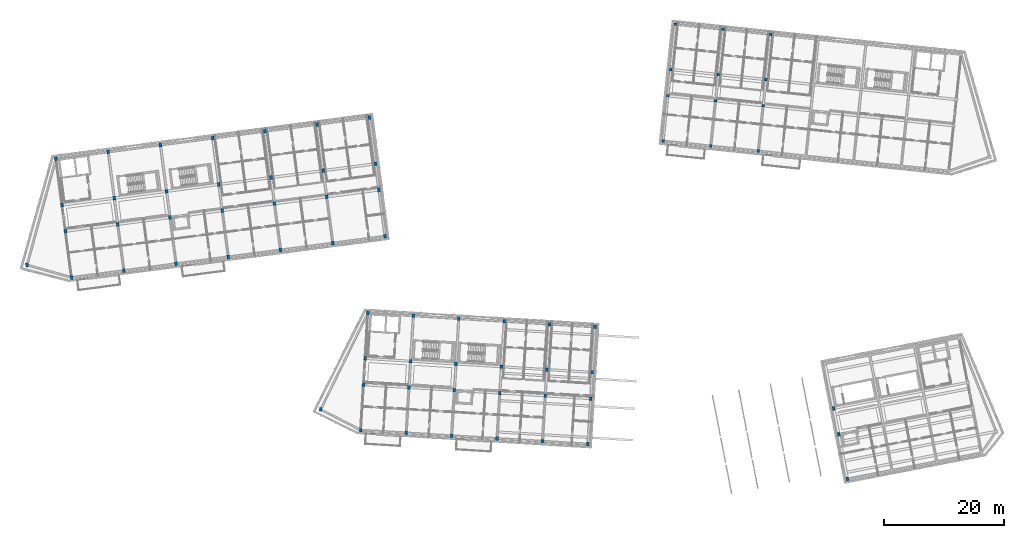
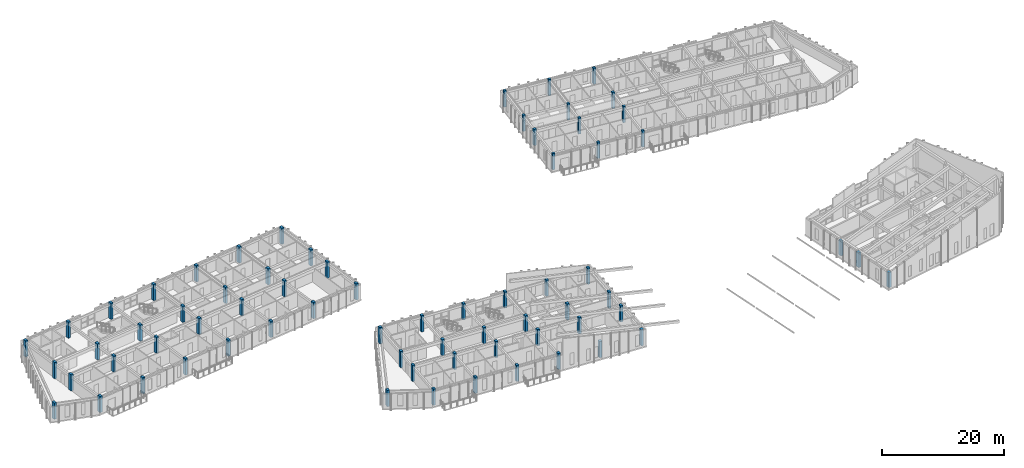
# One storey, part 1 of 56: 69 columns.
"""IFC4 building model written with IfcOpenShell, lengths in metres."""

from ifc_helpers import new_model, si_unit, direction, frame, origin, origin_2d, place, context, subcontext, project, spatial, rectangle, extrude, material, material_profile, profile_set, type_object, element, save


model = new_model("IFC4")

# Units and contexts
model_context = context("Model", 3, precision=1e-05, world=origin(), true_north=direction((0.0, 1.0)))
body_context = subcontext(model_context, "Body", "Model", "MODEL_VIEW")
ifc_project = project(units=[si_unit("LENGTHUNIT", "METRE"), si_unit("AREAUNIT", "SQUARE_METRE"), si_unit("VOLUMEUNIT", "CUBIC_METRE"), si_unit("PLANEANGLEUNIT", "RADIAN"), si_unit("MASSUNIT", "GRAM", prefix="KILO")], contexts=[model_context])

# Site, building, storey
site_placement = place(None, origin())
site = spatial("IfcSite", under=ifc_project, at=site_placement, CompositionType="ELEMENT")
building_placement = place(site_placement, origin())
building = spatial("IfcBuilding", under=site, at=building_placement, Name="Kestramere Prow Commons", CompositionType="ELEMENT")
storey_placement = place(building_placement, frame((0.0, 0.0, 27.89990234375)))
storey = spatial("IfcBuildingStorey", under=building, at=storey_placement, Name="L08", CompositionType="ELEMENT", Elevation=27.89990234375)

# Columns
ifc_material = material(Name="Precast concrete C40/50", Category="concrete")
ifc_material_profile_1 = material_profile(ifc_material, rectangle(XDim=0.449951171875, YDim=0.64990234375, at=origin_2d()), Name="PC-COL 450x650")
ifc_profile_set_1 = profile_set([ifc_material_profile_1], Name="Precast concrete C40/50")
column_type_1 = type_object("IfcColumnType", Name="C-A3 PC-COL 450x650", PredefinedType="COLUMN", material=ifc_profile_set_1)
for number, where, z_axis, x_axis, name in (
    (1, (11.199951171875, 72.0, 0.0), (0.0, 0.0, 1.0), (0.991444861374, 0.13052619222, 0.0), "Block A L08 Column 1-1"),
    (2, (10.181884765625, 79.733154296875, 0.0), (0.0, 0.0, 1.0), (0.991444861374, 0.13052619222, 0.0), "Block A L08 Column 1-2"),
    (3, (9.607666015625, 84.095703125, 0.0), (0.0, 0.0, 1.0), (0.991444861374, 0.13052619222, 0.0), "Block A L08 Column 1-3"),
    (4, (8.58935546875, 91.828857421875, 0.0), (0.0, 0.0, 1.0), (0.991444861374, 0.13052619222, 0.0), "Block A L08 Column 1-4"),
    (5, (19.9248046875, 73.148681640625, 0.0), (0.0, 0.0, 1.0), (0.991444861374, 0.13052619222, 0.0), "Block A L08 Column 2-1"),
    (6, (18.906494140625, 80.8818359375, 0.0), (0.0, 0.0, 1.0), (0.991444861374, 0.13052619222, 0.0), "Block A L08 Column 2-2"),
    (7, (18.332275390625, 85.244140625, 0.0), (0.0, 0.0, 1.0), (0.991444861374, 0.13052619222, 0.0), "Block A L08 Column 2-3"),
    (8, (17.314208984375, 92.9775390625, 0.0), (0.0, 0.0, 1.0), (0.991444861374, 0.13052619222, 0.0), "Block A L08 Column 2-4"),
    (9, (28.6494140625, 74.29736328125, 0.0), (0.0, 0.0, 1.0), (0.991444861374, 0.13052619222, 0.0), "Block A L08 Column 3-1"),
    (10, (27.63134765625, 82.030517578125, 0.0), (0.0, 0.0, 1.0), (0.991444861374, 0.13052619222, 0.0), "Block A L08 Column 3-2"),
    (11, (27.05712890625, 86.392822265625, 0.0), (0.0, 0.0, 1.0), (0.991444861374, 0.13052619222, 0.0), "Block A L08 Column 3-3"),
    (12, (26.038818359375, 94.126220703125, 0.0), (0.0, 0.0, 1.0), (0.991444861374, 0.13052619222, 0.0), "Block A L08 Column 3-4"),
    (13, (37.3740234375, 75.44580078125, 0.0), (0.0, 0.0, 1.0), (0.991444861374, 0.13052619222, 0.0), "Block A L08 Column 4-1"),
    (14, (36.35595703125, 83.17919921875, 0.0), (0.0, 0.0, 1.0), (0.991444861374, 0.13052619222, 0.0), "Block A L08 Column 4-2"),
    (15, (35.78173828125, 87.54150390625, 0.0), (0.0, 0.0, 1.0), (0.991444861374, 0.13052619222, 0.0), "Block A L08 Column 4-3"),
    (16, (34.763671875, 95.27490234375, 0.0), (0.0, 0.0, 1.0), (0.991444861374, 0.13052619222, 0.0), "Block A L08 Column 4-4"),
    (17, (46.098876953125, 76.594482421875, 0.0), (0.0, 0.0, 1.0), (0.991444861374, 0.13052619222, 0.0), "Block A L08 Column 5-1"),
    (18, (45.080810546875, 84.327880859375, 0.0), (0.0, 0.0, 1.0), (0.991444861374, 0.13052619222, 0.0), "Block A L08 Column 5-2"),
    (19, (44.50634765625, 88.690185546875, 0.0), (0.0, 0.0, 1.0), (0.991444861374, 0.13052619222, 0.0), "Block A L08 Column 5-3"),
    (20, (43.48828125, 96.42333984375, 0.0), (0.0, 0.0, 1.0), (0.991444861374, 0.13052619222, 0.0), "Block A L08 Column 5-4"),
    (21, (54.823486328125, 77.7431640625, 0.0), (0.0, 0.0, 1.0), (0.991444861374, 0.13052619222, 0.0), "Block A L08 Column 6-1"),
    (22, (53.805419921875, 85.476318359375, 0.0), (0.0, 0.0, 1.0), (0.991444861374, 0.13052619222, 0.0), "Block A L08 Column 6-2"),
    (23, (53.231201171875, 89.8388671875, 0.0), (0.0, 0.0, 1.0), (0.991444861374, 0.13052619222, 0.0), "Block A L08 Column 6-3"),
    (24, (52.213134765625, 97.572021484375, 0.0), (0.0, 0.0, 1.0), (0.991444861374, 0.13052619222, 0.0), "Block A L08 Column 6-4"),
    (25, (63.54833984375, 78.891845703125, 0.0), (0.0, 0.0, 1.0), (0.991444861374, 0.13052619222, 0.0), "Block A L08 Column 7-1"),
    (26, (62.5302734375, 86.625, 0.0), (0.0, 0.0, 1.0), (0.991444861374, 0.13052619222, 0.0), "Block A L08 Column 7-2"),
    (27, (61.955810546875, 90.9873046875, 0.0), (0.0, 0.0, 1.0), (0.991444861374, 0.13052619222, 0.0), "Block A L08 Column 7-3"),
    (28, (60.937744140625, 98.720703125, 0.0), (0.0, 0.0, 1.0), (0.991444861374, 0.13052619222, 0.0), "Block A L08 Column 7-4"),
    (29, (3.7626953125, 74.09716796875, 0.0), (0.0, 0.0, 1.0), (0.991444861374, 0.13052619222, 0.0), "Block A L08 Prow Apex Column"),
):
    element("IfcColumn", number, at=place(storey_placement, frame(where, z_axis=z_axis, x_axis=x_axis)), inside=storey, type_object=column_type_1, Name=name, PredefinedType="COLUMN", context=body_context, shape_type="SweptSolid", body=[
        extrude(rectangle(XDim=0.449951171875, YDim=0.64990234375, at=origin_2d()), origin(), (0.0, 0.0, 1.0), 3.25),
    ])
ifc_material_profile_2 = material_profile(ifc_material, rectangle(XDim=0.449951171875, YDim=0.449951171875, at=origin_2d()), Name="PC-COL 450x450")
ifc_profile_set_2 = profile_set([ifc_material_profile_2], Name="Precast concrete C40/50")
column_type_2 = type_object("IfcColumnType", Name="C-B3 PC-COL 450x450", PredefinedType="COLUMN", material=ifc_profile_set_2)
for number, where, z_axis, x_axis, name in (
    (30, (110.0, 94.800048828125, 0.0), (0.0, 0.0, 1.0), (0.994521895368, -0.104528463268, 0.0), "Block B L08 Column 1-1"),
    (31, (110.79443359375, 102.3583984375, 0.0), (0.0, 0.0, 1.0), (0.994521895368, -0.104528463268, 0.0), "Block B L08 Column 1-2"),
    (32, (111.25439453125, 106.734375, 0.0), (0.0, 0.0, 1.0), (0.994521895368, -0.104528463268, 0.0), "Block B L08 Column 1-3"),
    (33, (112.048828125, 114.292724609375, 0.0), (0.0, 0.0, 1.0), (0.994521895368, -0.104528463268, 0.0), "Block B L08 Column 1-4"),
    (34, (117.9560546875, 93.9638671875, 0.0), (0.0, 0.0, 1.0), (0.994521895368, -0.104528463268, 0.0), "Block B L08 Column 2-1"),
    (35, (118.75048828125, 101.522216796875, 0.0), (0.0, 0.0, 1.0), (0.994521895368, -0.104528463268, 0.0), "Block B L08 Column 2-2"),
    (36, (119.21044921875, 105.89794921875, 0.0), (0.0, 0.0, 1.0), (0.994521895368, -0.104528463268, 0.0), "Block B L08 Column 2-3"),
    (37, (120.0048828125, 113.456298828125, 0.0), (0.0, 0.0, 1.0), (0.994521895368, -0.104528463268, 0.0), "Block B L08 Column 2-4"),
    (38, (125.912353515625, 93.12744140625, 0.0), (0.0, 0.0, 1.0), (0.994521895368, -0.104528463268, 0.0), "Block B L08 Column 3-1"),
    (39, (126.706787109375, 100.685791015625, 0.0), (0.0, 0.0, 1.0), (0.994521895368, -0.104528463268, 0.0), "Block B L08 Column 3-2"),
    (40, (127.166748046875, 105.061767578125, 0.0), (0.0, 0.0, 1.0), (0.994521895368, -0.104528463268, 0.0), "Block B L08 Column 3-3"),
    (41, (127.961181640625, 112.6201171875, 0.0), (0.0, 0.0, 1.0), (0.994521895368, -0.104528463268, 0.0), "Block B L08 Column 3-4"),
):
    element("IfcColumn", number, at=place(storey_placement, frame(where, z_axis=z_axis, x_axis=x_axis)), inside=storey, type_object=column_type_2, Name=name, PredefinedType="COLUMN", context=body_context, shape_type="SweptSolid", body=[
        extrude(rectangle(XDim=0.449951171875, YDim=0.449951171875, at=origin_2d()), origin(), (0.0, 0.0, 1.0), 3.25),
    ])
ifc_material_profile_3 = material_profile(ifc_material, rectangle(XDim=0.449951171875, YDim=0.60009765625, at=origin_2d()), Name="PC-COL 450x600")
ifc_profile_set_3 = profile_set([ifc_material_profile_3], Name="Precast concrete C40/50")
column_type_3 = type_object("IfcColumnType", Name="C-C3 PC-COL 450x600", PredefinedType="COLUMN", material=ifc_profile_set_3)
for number, where, z_axis, x_axis, name in (
    (42, (59.5, 46.5, 0.0), (0.0, 0.0, 1.0), (0.998134798422, -0.061048539535, 0.0), "Block C L08 Column 1-1"),
    (43, (59.9638671875, 54.0859375, 0.0), (0.0, 0.0, 1.0), (0.998134798422, -0.061048539535, 0.0), "Block C L08 Column 1-2"),
    (44, (60.232666015625, 58.4775390625, 0.0), (0.0, 0.0, 1.0), (0.998134798422, -0.061048539535, 0.0), "Block C L08 Column 1-3"),
    (45, (60.696533203125, 66.0634765625, 0.0), (0.0, 0.0, 1.0), (0.998134798422, -0.061048539535, 0.0), "Block C L08 Column 1-4"),
    (46, (67.0859375, 46.0361328125, 0.0), (0.0, 0.0, 1.0), (0.998134798422, -0.061048539535, 0.0), "Block C L08 Column 2-1"),
    (47, (67.5498046875, 53.621826171875, 0.0), (0.0, 0.0, 1.0), (0.998134798422, -0.061048539535, 0.0), "Block C L08 Column 2-2"),
    (48, (67.818359375, 58.013671875, 0.0), (0.0, 0.0, 1.0), (0.998134798422, -0.061048539535, 0.0), "Block C L08 Column 2-3"),
    (49, (68.282470703125, 65.599365234375, 0.0), (0.0, 0.0, 1.0), (0.998134798422, -0.061048539535, 0.0), "Block C L08 Column 2-4"),
    (50, (74.671630859375, 45.572021484375, 0.0), (0.0, 0.0, 1.0), (0.998134798422, -0.061048539535, 0.0), "Block C L08 Column 3-1"),
    (51, (75.135498046875, 53.157958984375, 0.0), (0.0, 0.0, 1.0), (0.998134798422, -0.061048539535, 0.0), "Block C L08 Column 3-2"),
    (52, (75.404296875, 57.549560546875, 0.0), (0.0, 0.0, 1.0), (0.998134798422, -0.061048539535, 0.0), "Block C L08 Column 3-3"),
    (53, (75.8681640625, 65.135498046875, 0.0), (0.0, 0.0, 1.0), (0.998134798422, -0.061048539535, 0.0), "Block C L08 Column 3-4"),
    (54, (82.257568359375, 45.108154296875, 0.0), (0.0, 0.0, 1.0), (0.998134798422, -0.061048539535, 0.0), "Block C L08 Column 4-1"),
    (55, (82.721435546875, 52.69384765625, 0.0), (0.0, 0.0, 1.0), (0.998134798422, -0.061048539535, 0.0), "Block C L08 Column 4-2"),
    (56, (82.989990234375, 57.085693359375, 0.0), (0.0, 0.0, 1.0), (0.998134798422, -0.061048539535, 0.0), "Block C L08 Column 4-3"),
    (57, (83.4541015625, 64.671630859375, 0.0), (0.0, 0.0, 1.0), (0.998134798422, -0.061048539535, 0.0), "Block C L08 Column 4-4"),
    (58, (89.84326171875, 44.64404296875, 0.0), (0.0, 0.0, 1.0), (0.998134798422, -0.061048539535, 0.0), "Block C L08 Column 5-1"),
    (59, (90.307373046875, 52.22998046875, 0.0), (0.0, 0.0, 1.0), (0.998134798422, -0.061048539535, 0.0), "Block C L08 Column 5-2"),
    (60, (90.575927734375, 56.621826171875, 0.0), (0.0, 0.0, 1.0), (0.998134798422, -0.061048539535, 0.0), "Block C L08 Column 5-3"),
    (61, (91.039794921875, 64.20751953125, 0.0), (0.0, 0.0, 1.0), (0.998134798422, -0.061048539535, 0.0), "Block C L08 Column 5-4"),
    (62, (97.42919921875, 44.18017578125, 0.0), (0.0, 0.0, 1.0), (0.998134798422, -0.061048539535, 0.0), "Block C L08 Column 6-1"),
    (63, (97.89306640625, 51.765869140625, 0.0), (0.0, 0.0, 1.0), (0.998134798422, -0.061048539535, 0.0), "Block C L08 Column 6-2"),
    (64, (98.16162109375, 56.15771484375, 0.0), (0.0, 0.0, 1.0), (0.998134798422, -0.061048539535, 0.0), "Block C L08 Column 6-3"),
    (65, (98.625732421875, 63.74365234375, 0.0), (0.0, 0.0, 1.0), (0.998134798422, -0.061048539535, 0.0), "Block C L08 Column 6-4"),
    (66, (52.799072265625, 49.965576171875, 0.0), (0.0, 0.0, 1.0), (0.998134798422, -0.061048539535, 0.0), "Block C L08 Prow Apex Column"),
):
    element("IfcColumn", number, at=place(storey_placement, frame(where, z_axis=z_axis, x_axis=x_axis)), inside=storey, type_object=column_type_3, Name=name, PredefinedType="COLUMN", context=body_context, shape_type="SweptSolid", body=[
        extrude(rectangle(XDim=0.449951171875, YDim=0.60009765625, at=origin_2d()), origin(), (0.0, 0.0, 1.0), 3.25),
    ])
ifc_material_profile_4 = material_profile(ifc_material, rectangle(XDim=0.449951171875, YDim=0.64990234375, at=origin_2d()), Name="PC-COL 450x650")
ifc_profile_set_4 = profile_set([ifc_material_profile_4], Name="Precast concrete C40/50")
column_type_4 = type_object("IfcColumnType", Name="C-D3 PC-COL 450x650", PredefinedType="COLUMN", material=ifc_profile_set_4)
for number, where, z_axis, x_axis, name in (
    (67, (140.781005859375, 38.350341796875, 0.0), (0.0, 0.0, 1.0), (0.981627183448, 0.190808995377, 0.0), "Block D L08 Column 4-1"),
    (68, (139.3310546875, 45.810791015625, 0.0), (0.0, 0.0, 1.0), (0.981627183448, 0.190808995377, 0.0), "Block D L08 Column 4-2"),
    (69, (138.491455078125, 50.1298828125, 0.0), (0.0, 0.0, 1.0), (0.981627183448, 0.190808995377, 0.0), "Block D L08 Column 4-3"),
):
    element("IfcColumn", number, at=place(storey_placement, frame(where, z_axis=z_axis, x_axis=x_axis)), inside=storey, type_object=column_type_4, Name=name, PredefinedType="COLUMN", context=body_context, shape_type="SweptSolid", body=[
        extrude(rectangle(XDim=0.449951171875, YDim=0.64990234375, at=origin_2d()), origin(), (0.0, 0.0, 1.0), 3.0),
    ])

save(model, "model.ifc")
